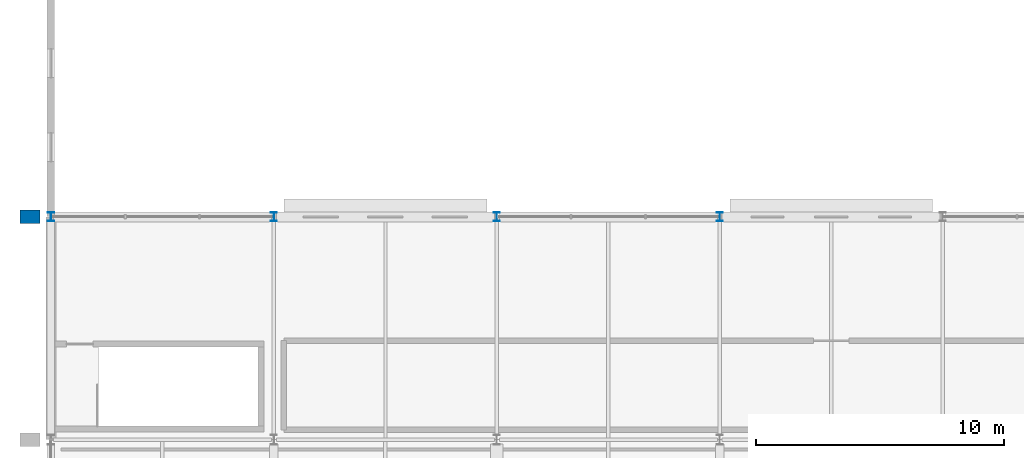
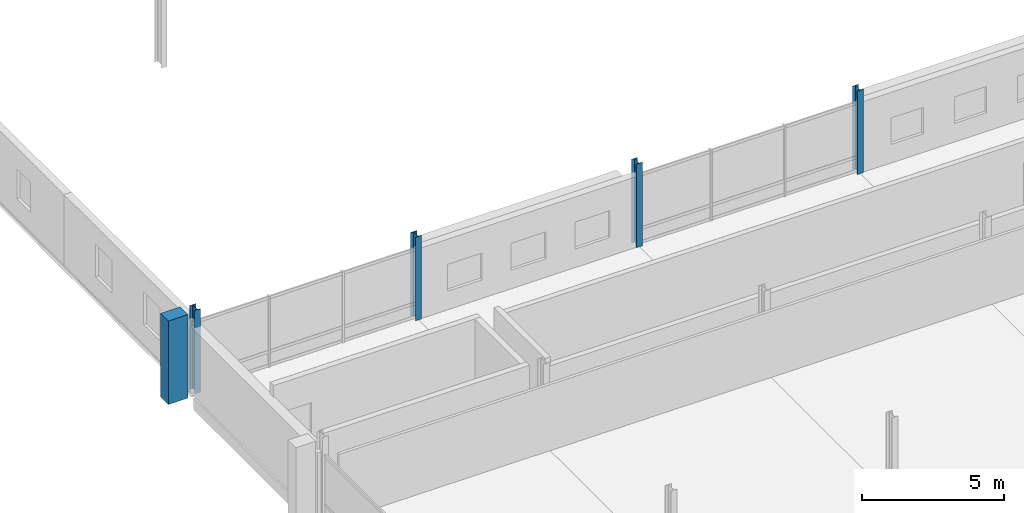
# One storey, part 10 of 132: 5 columns.
"""IFC4 building model written with IfcOpenShell, lengths in metres."""

from ifc_helpers import new_model, si_unit, direction, frame, origin, origin_2d, place, context, subcontext, project, spatial, rectangle, i_section, extrude, material, material_profile, profile_set, type_object, element, save


model = new_model("IFC4")

# Units and contexts
model_context = context("Model", 3, precision=1e-05, world=origin(), true_north=direction((0.0, 1.0)))
body_context = subcontext(model_context, "Body", "Model", "MODEL_VIEW")
ifc_project = project(units=[si_unit("LENGTHUNIT", "METRE"), si_unit("AREAUNIT", "SQUARE_METRE"), si_unit("VOLUMEUNIT", "CUBIC_METRE"), si_unit("PLANEANGLEUNIT", "RADIAN"), si_unit("MASSUNIT", "GRAM", prefix="KILO")], contexts=[model_context])

# Site, building, storey
site_placement = place(None, origin())
site = spatial("IfcSite", under=ifc_project, at=site_placement, CompositionType="ELEMENT")
building_placement = place(site_placement, origin())
building = spatial("IfcBuilding", under=site, at=building_placement, Name="Tharagai Park Tramway Depot", CompositionType="ELEMENT")
storey_placement = place(building_placement, frame((0.0, 0.0, 4.800048828125)))
storey = spatial("IfcBuildingStorey", under=building, at=storey_placement, Name="L01", CompositionType="ELEMENT", Elevation=4.800048828125)

# Columns
ifc_material_1 = material(Name="Steel E350", Category="steel")
ifc_material_profile_1 = material_profile(ifc_material_1, i_section(OverallWidth=0.25, OverallDepth=0.35009765625, WebThickness=0.010009765625, FlangeThickness=0.01171875, FilletRadius=0.011962890625, at=origin_2d()), Name="ISHB 350")
ifc_profile_set_1 = profile_set([ifc_material_profile_1], Name="Steel E350")
column_type_1 = type_object("IfcColumnType", Name="CL-09", PredefinedType="COLUMN", material=ifc_profile_set_1)
for number, where, z_axis, x_axis, name in (
    (1, (0.0, 99.0, 0.0), (0.0, 0.0, 1.0), (1.0, 0.0, 0.0), "L01 Structural Column CL-09 (0,99)"),
    (2, (9.0, 99.0, 0.0), (0.0, 0.0, 1.0), (1.0, 0.0, 0.0), "L01 Structural Column CL-09 (9,99)"),
    (3, (18.0, 99.0, 0.0), (0.0, 0.0, 1.0), (1.0, 0.0, 0.0), "L01 Structural Column CL-09 (18,99)"),
    (4, (27.0, 99.0, 0.0), (0.0, 0.0, 1.0), (1.0, 0.0, 0.0), "L01 Structural Column CL-09 (27,99)"),
):
    element("IfcColumn", number, at=place(storey_placement, frame(where, z_axis=z_axis, x_axis=x_axis)), inside=storey, type_object=column_type_1, Name=name, PredefinedType="COLUMN", context=body_context, shape_type="SweptSolid", body=[
        extrude(i_section(OverallWidth=0.25, OverallDepth=0.35009765625, WebThickness=0.010009765625, FlangeThickness=0.01171875, FilletRadius=0.011962890625, at=origin_2d()), origin(), (0.0, 0.0, 1.0), 3.599853515625),
    ])
ifc_material_2 = material(Name="Concrete M40", Category="concrete")
ifc_material_profile_2 = material_profile(ifc_material_2, rectangle(XDim=0.550048828125, YDim=0.800048828125, at=origin_2d()), Name="RC 550x800")
ifc_profile_set_2 = profile_set([ifc_material_profile_2], Name="Concrete M40")
column_type_2 = type_object("IfcColumnType", Name="PL-02", PredefinedType="PILASTER", material=ifc_profile_set_2)
column_placement = place(storey_placement, frame((-0.85009765625, 99.0, 0.0), z_axis=(0.0, 0.0, 1.0), x_axis=(0.0, 1.0, 0.0)))
element("IfcColumn", 5, at=column_placement, inside=storey, type_object=column_type_2, Name="L01 Stepped Gothic Buttress PL-02 W-099", PredefinedType="PILASTER", context=body_context, shape_type="SweptSolid", body=[
    extrude(rectangle(XDim=0.550048828125, YDim=0.800048828125, at=origin_2d()), origin(), (0.0, 0.0, 1.0), 3.599853515625),
])

save(model, "model.ifc")
